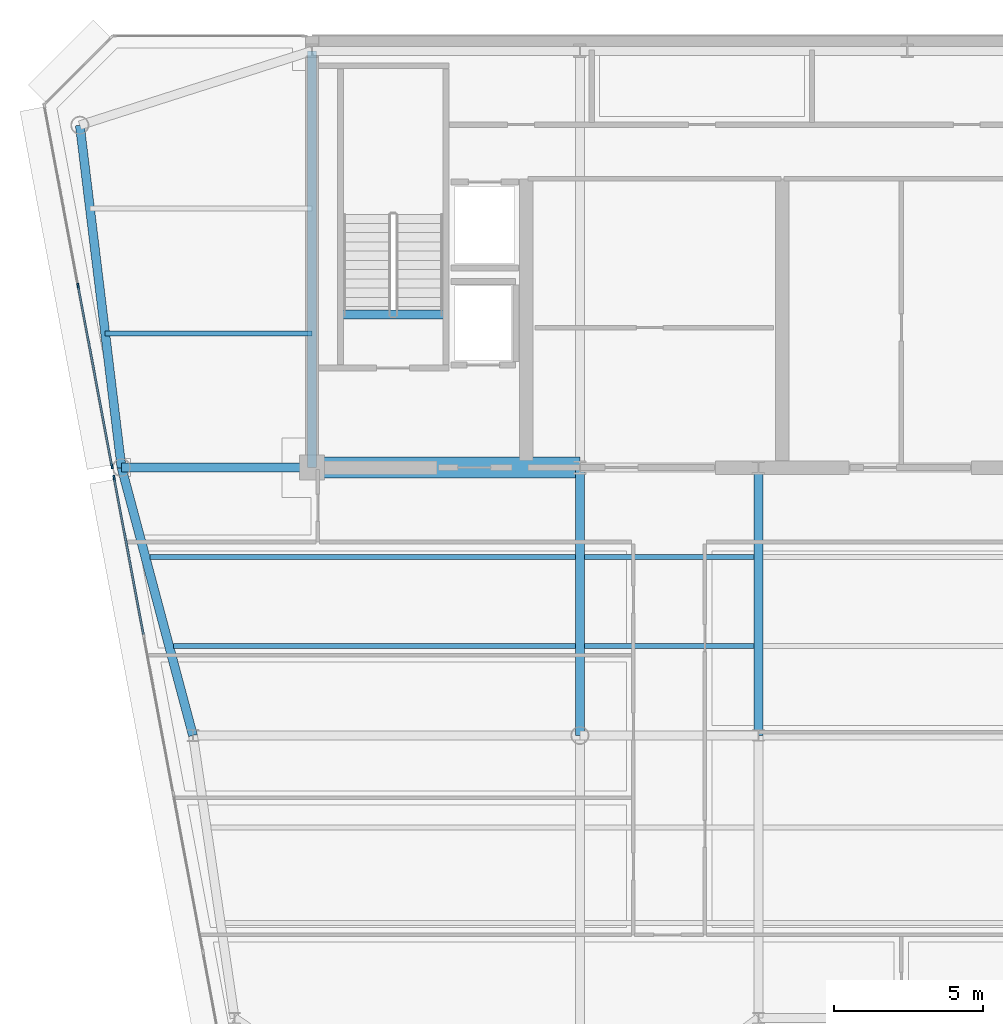
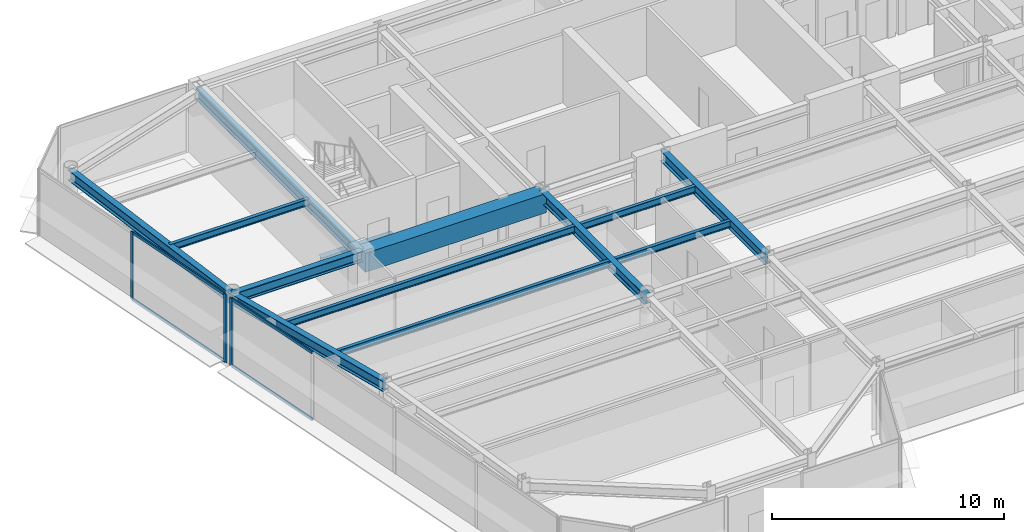
# One storey, part 4 of 20: 13 beams, 7 members, 2 elements without a shape of their own.
"""IFC4 building model written with IfcOpenShell, lengths in metres."""

import ifcopenshell
import ifcopenshell.guid

model = None  # the IFC model being written
_history = None  # IfcOwnerHistory: only IFC2X3 demands one
_inside = {}  # id of a spatial element -> (the spatial element, [elements in it])
_under = {}  # id of a project, library or spatial element -> (it, [spatial elements below it])
_declared = {}  # id of a project -> (the project, [libraries it declares])
_typed = {}  # id of a type object -> (the type object, [elements of that type])
_made_of = {}  # id of a material, layer set ... -> (it, [elements and type objects made of it])


def new_model(schema):
    """Start an empty IFC model of exactly this schema.

    Asked for "IFC4X3", IfcOpenShell would pick the latest addendum, in which some entities
    have other attributes; the version numbers below select the first issue.
    IFC2X3 requires an IfcOwnerHistory on every rooted entity: one is made here for all.
    """
    global model, _history
    if schema == "IFC4X3":
        model = ifcopenshell.file(schema_version=(4, 3, 0, 0))
    else:
        model = ifcopenshell.file(schema=schema)
    _inside.clear()
    _under.clear()
    _declared.clear()
    _typed.clear()
    _made_of.clear()
    _history = None
    if model.schema == "IFC2X3":
        org = make("IfcOrganization", Name="unknown")
        user = make(
            "IfcPersonAndOrganization",
            ThePerson=make("IfcPerson", FamilyName="unknown"),
            TheOrganization=org,
        )
        app = make(
            "IfcApplication",
            ApplicationDeveloper=org,
            Version="unknown",
            ApplicationFullName="unknown",
            ApplicationIdentifier="unknown",
        )
        _history = make(
            "IfcOwnerHistory",
            OwningUser=user,
            OwningApplication=app,
            ChangeAction="ADDED",
            CreationDate=0,
        )
    return model


def make(cls, **values):
    """One entity of the class cls with the attributes given. An attribute that is None is left unset."""
    return model.create_entity(
        cls, **{name: value for name, value in values.items() if value is not None}
    )


def rooted(cls, **values):
    """An entity with a GlobalId (a new one), such as an element, a storey or a relation."""
    return make(cls, GlobalId=ifcopenshell.guid.new(), OwnerHistory=_history, **values)


def si_unit(unit_type, name, prefix=None):
    """IfcSIUnit, for example si_unit("LENGTHUNIT", "METRE", prefix="MILLI")."""
    return make("IfcSIUnit", UnitType=unit_type, Prefix=prefix, Name=name)


def assignment(units):
    """IfcUnitAssignment: the units of a project."""
    return None if units is None else make("IfcUnitAssignment", Units=units)


def point(xyz):
    """IfcCartesianPoint."""
    return None if xyz is None else make("IfcCartesianPoint", Coordinates=xyz)


def direction(xyz):
    """IfcDirection."""
    return None if xyz is None else make("IfcDirection", DirectionRatios=xyz)


def frame(location, z_axis=None, x_axis=None):
    """IfcAxis2Placement3D, a coordinate frame: its origin and axes. An axis left out is left unset."""
    return make(
        "IfcAxis2Placement3D",
        Location=point(location),
        Axis=direction(z_axis),
        RefDirection=direction(x_axis),
    )


def frame_2d(location, x_axis=None):
    """IfcAxis2Placement2D, a coordinate frame in the plane: its origin and x axis."""
    return make(
        "IfcAxis2Placement2D", Location=point(location), RefDirection=direction(x_axis)
    )


def origin():
    """The frame at (0, 0, 0) with its axes left unset."""
    return frame((0.0, 0.0, 0.0))


def origin_2d():
    """The frame at (0, 0) in the plane with its x axis left unset."""
    return frame_2d((0.0, 0.0))


def place(relative_to, where):
    """IfcLocalPlacement: puts the frame where relative to a parent placement (None: the world)."""
    return make(
        "IfcLocalPlacement", PlacementRelTo=relative_to, RelativePlacement=where
    )


def context(
    kind, dimensions, precision=None, world=None, true_north=None, identifier=None
):
    """IfcGeometricRepresentationContext, for example the 3D "Model" context."""
    return make(
        "IfcGeometricRepresentationContext",
        ContextIdentifier=identifier,
        ContextType=kind,
        CoordinateSpaceDimension=dimensions,
        Precision=precision,
        WorldCoordinateSystem=world,
        TrueNorth=true_north,
    )


def subcontext(parent, identifier, kind, view, scale=None):
    """IfcGeometricRepresentationSubContext, for example "Body" below "Model"."""
    return make(
        "IfcGeometricRepresentationSubContext",
        ContextIdentifier=identifier,
        ContextType=kind,
        ParentContext=parent,
        TargetScale=scale,
        TargetView=view,
    )


def project(units=None, contexts=None):
    """IfcProject with its units and contexts."""
    return rooted(
        "IfcProject",
        Name="project",
        RepresentationContexts=contexts,
        UnitsInContext=assignment(units),
    )


def spatial(cls, under=None, at=None, **own):
    """A site, building, storey or space (cls), placed at a placement, below another one or the project."""
    s = rooted(cls, ObjectPlacement=at, **own)
    if under is not None:
        _under.setdefault(under.id(), (under, []))[1].append(s)
    return s


def profile(cls, at=None, kind="AREA", **sizes):
    """A parametric profile (cls). Its sizes go by their IFC names, for example OverallWidth=200.0."""
    return make(cls, ProfileType=kind, Position=at, **sizes)


def rectangle(**sizes):
    """IfcRectangleProfileDef."""
    return profile("IfcRectangleProfileDef", **sizes)


def i_section(**sizes):
    """IfcIShapeProfileDef."""
    return profile("IfcIShapeProfileDef", **sizes)


def extrude(swept, where, along, depth):
    """IfcExtrudedAreaSolid: the profile swept, set in the frame where, extruded along a direction by depth."""
    return make(
        "IfcExtrudedAreaSolid",
        SweptArea=swept,
        Position=where,
        ExtrudedDirection=direction(along),
        Depth=depth,
    )


def shape(context_of_items, identifier, shape_type, items):
    """IfcShapeRepresentation: the items that make up one representation, for example the "Body"."""
    return make(
        "IfcShapeRepresentation",
        ContextOfItems=context_of_items,
        RepresentationIdentifier=identifier,
        RepresentationType=shape_type,
        Items=items,
    )


def source(mapping_origin, context_of_items, identifier, shape_type, items):
    """IfcRepresentationMap: a shape defined once, which mapped items show again and again."""
    return make(
        "IfcRepresentationMap",
        MappingOrigin=mapping_origin,
        MappedRepresentation=shape(context_of_items, identifier, shape_type, items),
    )


def transform(
    local_origin,
    x_axis=None,
    y_axis=None,
    z_axis=None,
    scale=None,
    scale2=None,
    scale3=None,
    uniform=True,
):
    """IfcCartesianTransformationOperator3D, or its non-uniform kind. x_axis, y_axis, z_axis: its Axis1, 2, 3."""
    if uniform:
        return make(
            "IfcCartesianTransformationOperator3D",
            Axis1=direction(x_axis),
            Axis2=direction(y_axis),
            LocalOrigin=point(local_origin),
            Scale=scale,
            Axis3=direction(z_axis),
        )
    return make(
        "IfcCartesianTransformationOperator3DnonUniform",
        Axis1=direction(x_axis),
        Axis2=direction(y_axis),
        LocalOrigin=point(local_origin),
        Scale=scale,
        Axis3=direction(z_axis),
        Scale2=scale2,
        Scale3=scale3,
    )


def mapped(mapping_source, mapping_target):
    """IfcMappedItem: shows the shape of a source again, moved by a transform."""
    return make(
        "IfcMappedItem", MappingSource=mapping_source, MappingTarget=mapping_target
    )


def material(Name=None, Category=None):
    """IfcMaterial."""
    return make("IfcMaterial", Name=Name, Category=Category)


def layer(
    of_material, thickness, ventilated=None, Name=None, Category=None, Priority=None
):
    """IfcMaterialLayer: one layer of a wall or slab, of a material (None: an air gap)."""
    return make(
        "IfcMaterialLayer",
        Material=of_material,
        LayerThickness=thickness,
        IsVentilated=ventilated,
        Name=Name,
        Category=Category,
        Priority=Priority,
    )


def layer_set(layers, Name=None):
    """IfcMaterialLayerSet."""
    return make("IfcMaterialLayerSet", MaterialLayers=layers, LayerSetName=Name)


def material_profile(
    of_material, cross_section, Name=None, Category=None, Priority=None
):
    """IfcMaterialProfile: a cross section and its material."""
    return make(
        "IfcMaterialProfile",
        Name=Name,
        Material=of_material,
        Profile=cross_section,
        Priority=Priority,
        Category=Category,
    )


def profile_set(profiles, Name=None, composite=None):
    """IfcMaterialProfileSet."""
    return make(
        "IfcMaterialProfileSet",
        Name=Name,
        MaterialProfiles=profiles,
        CompositeProfile=composite,
    )


def made_of(thing, what):
    """Note that an element or type object is made of a material, layer set ...; save() writes the relation."""
    if what is not None:
        _made_of.setdefault(what.id(), (what, []))[1].append(thing)
    return thing


def type_object(cls, material=None, **own):
    """A type object (cls), such as IfcWallType, which elements share."""
    return made_of(rooted(cls, **own), material)


def element(
    cls,
    number,
    at=None,
    inside=None,
    cuts=None,
    type_object=None,
    material=None,
    context=None,
    identifier="Body",
    shape_type=None,
    held_by="IfcProductDefinitionShape",
    body=None,
    shapes=None,
    **own,
):
    """One element of the class cls, such as IfcWall. Its Tag is "e" and its number.

    at: its placement. inside: the storey or other place that contains it. cuts: it is an
    opening in that element (IfcRelVoidsElement). A single representation is given by context,
    identifier, shape_type and body (its items); several are given by shapes. held_by: the class
    of the entity that holds the representations. save() writes the other relations.
    """
    e = rooted(cls, Tag="e%d" % number, ObjectPlacement=at, **own)
    if body is not None:
        shapes = [shape(context, identifier, shape_type, body)]
    if shapes is not None:
        e.Representation = make(held_by, Representations=shapes)
    if inside is not None:
        _inside.setdefault(inside.id(), (inside, []))[1].append(e)
    if cuts is not None:
        rooted(
            "IfcRelVoidsElement", RelatingBuildingElement=cuts, RelatedOpeningElement=e
        )
    if type_object is not None:
        _typed.setdefault(type_object.id(), (type_object, []))[1].append(e)
    return made_of(e, material)


def aggregate(whole, parts):
    """IfcRelAggregates: a whole, such as a stair, and the parts it consists of."""
    return rooted("IfcRelAggregates", RelatingObject=whole, RelatedObjects=parts)


def save(model, path):
    """Write the relations noted so far, then the file.

    IfcRelAggregates (storeys below a building ...), IfcRelContainedInSpatialStructure (elements
    in a storey), IfcRelDefinesByType, IfcRelAssociatesMaterial and IfcRelDeclares: one each for
    every whole, place, type object, material and project.
    """
    for whole, parts in _under.values():
        aggregate(whole, parts)
    for where, things in _inside.values():
        rooted(
            "IfcRelContainedInSpatialStructure",
            RelatedElements=things,
            RelatingStructure=where,
        )
    for kind, things in _typed.values():
        rooted("IfcRelDefinesByType", RelatedObjects=things, RelatingType=kind)
    for what, things in _made_of.values():
        rooted("IfcRelAssociatesMaterial", RelatedObjects=things, RelatingMaterial=what)
    for by, libraries in _declared.values():
        rooted("IfcRelDeclares", RelatingContext=by, RelatedDefinitions=libraries)
    model.write(path)


model = new_model("IFC4")

# Units and contexts
model_context = context("Model", 3, precision=1e-05, world=origin(), true_north=direction((0.0, 1.0)))
body_context = subcontext(model_context, "Body", "Model", "MODEL_VIEW")
ifc_project = project(units=[si_unit("LENGTHUNIT", "METRE"), si_unit("AREAUNIT", "SQUARE_METRE"), si_unit("VOLUMEUNIT", "CUBIC_METRE"), si_unit("PLANEANGLEUNIT", "RADIAN"), si_unit("MASSUNIT", "GRAM", prefix="KILO")], contexts=[model_context])

# Site, building, storey
site_placement = place(None, origin())
site = spatial("IfcSite", under=ifc_project, at=site_placement, CompositionType="ELEMENT")
building_placement = place(site_placement, origin())
building = spatial("IfcBuilding", under=site, at=building_placement, Name="Vaeldorn Concourse Tower", CompositionType="ELEMENT")
storey_placement = place(building_placement, frame((0.0, 0.0, 268.800048828125)))
storey = spatial("IfcBuildingStorey", under=building, at=storey_placement, Name="L69", CompositionType="ELEMENT", Elevation=268.800048828125)

# Beams
ifc_material_1 = material(Name="Concrete C50/60", Category="concrete")
ifc_material_profile_1 = material_profile(ifc_material_1, rectangle(XDim=0.699951171875, YDim=1.0, at=origin_2d()), Name="RC 700x1000")
ifc_profile_set_1 = profile_set([ifc_material_profile_1], Name="Concrete C50/60")
beam_type_1 = type_object("IfcBeamType", Name="BM-CB-RC700", PredefinedType="BEAM", material=ifc_profile_set_1)
shared_shape_1 = source(origin(), body_context, "Body", "SweptSolid", [
    extrude(rectangle(XDim=0.699951171875, YDim=1.0, at=origin_2d()), origin(), (0.0, 0.0, 1.0), 9.0),
])
beam_1_placement = place(storey_placement, frame((14.0, 36.5, 3.079833984375), z_axis=(1.0, 0.0, 0.0), x_axis=(0.0, 1.0, 0.0)))
element("IfcBeam", 1, at=beam_1_placement, inside=storey, type_object=beam_type_1, Name="Core Coupling Beam L69-1", PredefinedType="BEAM", context=body_context, shape_type="MappedRepresentation", body=[
    mapped(shared_shape_1, transform((0.0, 0.0, 0.0), scale=1.0)),
])
ifc_material_2 = material(Name="Steel S355", Category="steel")
ifc_material_profile_2 = material_profile(ifc_material_2, i_section(OverallWidth=0.300048828125, OverallDepth=0.340087890625, WebThickness=0.011962890625, FlangeThickness=0.021484375, FilletRadius=0.027099609375, at=origin_2d()), Name="HEB 340")
ifc_profile_set_2 = profile_set([ifc_material_profile_2], Name="Steel S355")
beam_type_2 = type_object("IfcBeamType", Name="BM-ST-TRIM", PredefinedType="BEAM", material=ifc_profile_set_2)
shared_shape_2 = source(origin(), body_context, "Body", "SweptSolid", [
    extrude(i_section(OverallWidth=0.300048828125, OverallDepth=0.340087890625, WebThickness=0.011962890625, FlangeThickness=0.021484375, FilletRadius=0.027099609375, at=origin_2d()), origin(), (0.0, 0.0, 1.0), 3.590087890625),
])
beam_2_placement = place(storey_placement, frame((14.929931640625, 41.639892578125, -0.39013671875), z_axis=(1.0, 0.0, 0.0), x_axis=(0.0, 1.0, 0.0)))
element("IfcBeam", 2, at=beam_2_placement, inside=storey, type_object=beam_type_2, Name="Stair Landing Trimmer Beam ST-1 L69", PredefinedType="BEAM", context=body_context, shape_type="MappedRepresentation", body=[
    mapped(shared_shape_2, transform((0.0, 0.0, 0.0), scale=1.0)),
])
ifc_material_profile_3 = material_profile(ifc_material_2, i_section(OverallWidth=0.300048828125, OverallDepth=0.550048828125, WebThickness=0.014892578125, FlangeThickness=0.029052734375, FilletRadius=0.027099609375, at=origin_2d()), Name="HEB 550")
ifc_profile_set_3 = profile_set([ifc_material_profile_3], Name="Steel S355")
beam_type_3 = type_object("IfcBeamType", Name="BM-PG-HEB550", PredefinedType="BEAM", material=ifc_profile_set_3)
shared_shape_3 = source(origin(), body_context, "Body", "SweptSolid", [
    extrude(i_section(OverallWidth=0.300048828125, OverallDepth=0.550048828125, WebThickness=0.014892578125, FlangeThickness=0.029052734375, FilletRadius=0.027099609375, at=origin_2d()), origin(), (0.0, 0.0, 1.0), 9.0),
])
for number, where, z_axis, x_axis, name in (
    (3, (23.0, 27.5, 3.304931640625), (0.0, 1.0, 0.0), (-1.0, 0.0, 0.0), "Beam BM-L69-C-TW1-C-FC2"),
    (4, (29.0, 27.5, 3.304931640625), (0.0, 1.0, 0.0), (-1.0, 0.0, 0.0), "Beam BM-L69-C-TW2-C-FC3"),
):
    element("IfcBeam", number, at=place(storey_placement, frame(where, z_axis=z_axis, x_axis=x_axis)), inside=storey, type_object=beam_type_3, Name=name, PredefinedType="BEAM", context=body_context, shape_type="MappedRepresentation", body=[
        mapped(shared_shape_3, transform((0.0, 0.0, 0.0), scale=1.0)),
    ])
shared_shape_4 = source(origin(), body_context, "Body", "SweptSolid", [
    extrude(i_section(OverallWidth=0.300048828125, OverallDepth=0.550048828125, WebThickness=0.014892578125, FlangeThickness=0.029052734375, FilletRadius=0.027099609375, at=origin_2d()), origin(), (0.0, 0.0, 1.0), 14.0),
])
beam_3_placement = place(storey_placement, frame((14.0, 36.5, 3.304931640625), z_axis=(0.0, 1.0, 0.0), x_axis=(-1.0, 0.0, 0.0)))
element("IfcBeam", 5, at=beam_3_placement, inside=storey, type_object=beam_type_3, Name="Beam BM-L69-C-FC1-C-HC1", PredefinedType="BEAM", context=body_context, shape_type="MappedRepresentation", body=[
    mapped(shared_shape_4, transform((0.0, 0.0, 0.0), scale=1.0)),
])
shared_shape_5 = source(origin(), body_context, "Body", "SweptSolid", [
    extrude(i_section(OverallWidth=0.300048828125, OverallDepth=0.550048828125, WebThickness=0.014892578125, FlangeThickness=0.029052734375, FilletRadius=0.027099609375, at=origin_2d()), origin(), (0.0, 0.0, 1.0), 11.5849609375),
])
beam_4_placement = place(storey_placement, frame((6.199951171875, 48.0, 3.304931640625), z_axis=(0.120859382899, -0.992669637677, 0.0), x_axis=(0.992669637677, 0.120859382899, 0.0)))
element("IfcBeam", 6, at=beam_4_placement, inside=storey, type_object=beam_type_3, Name="Beam BM-L69-C-NW1-C-NW2", PredefinedType="BEAM", context=body_context, shape_type="MappedRepresentation", body=[
    mapped(shared_shape_5, transform((0.0, 0.0, 0.0), scale=1.0)),
])
shared_shape_6 = source(origin(), body_context, "Body", "SweptSolid", [
    extrude(i_section(OverallWidth=0.300048828125, OverallDepth=0.550048828125, WebThickness=0.014892578125, FlangeThickness=0.029052734375, FilletRadius=0.027099609375, at=origin_2d()), origin(), (0.0, 0.0, 1.0), 6.39990234375),
])
beam_5_placement = place(storey_placement, frame((7.60009765625, 36.5, 3.304931640625), z_axis=(1.0, 0.0, 0.0), x_axis=(0.0, 1.0, 0.0)))
element("IfcBeam", 7, at=beam_5_placement, inside=storey, type_object=beam_type_3, Name="Beam BM-L69-C-NW2-C-FC1", PredefinedType="BEAM", context=body_context, shape_type="MappedRepresentation", body=[
    mapped(shared_shape_6, transform((0.0, 0.0, 0.0), scale=1.0)),
])
shared_shape_7 = source(origin(), body_context, "Body", "SweptSolid", [
    extrude(i_section(OverallWidth=0.300048828125, OverallDepth=0.550048828125, WebThickness=0.014892578125, FlangeThickness=0.029052734375, FilletRadius=0.027099609375, at=origin_2d()), origin(), (0.0, 0.0, 1.0), 9.314453125),
])
beam_6_placement = place(storey_placement, frame((7.60009765625, 36.5, 3.304931640625), z_axis=(0.257652862255, -0.966237549763, 0.0), x_axis=(0.966237549763, 0.257652862255, 0.0)))
element("IfcBeam", 8, at=beam_6_placement, inside=storey, type_object=beam_type_3, Name="Beam BM-L69-C-NW2-C-FLW1", PredefinedType="BEAM", context=body_context, shape_type="MappedRepresentation", body=[
    mapped(shared_shape_7, transform((0.0, 0.0, 0.0), scale=1.0)),
])
ifc_material_profile_4 = material_profile(ifc_material_2, i_section(OverallWidth=0.169921875, OverallDepth=0.360107421875, WebThickness=0.008056640625, FlangeThickness=0.0126953125, FilletRadius=0.01806640625, at=origin_2d()), Name="IPE 360")
ifc_profile_set_4 = profile_set([ifc_material_profile_4], Name="Steel S355")
beam_type_4 = type_object("IfcBeamType", Name="BM-JS-IPE360", PredefinedType="JOIST", material=ifc_profile_set_4)
shared_shape_8 = source(origin(), body_context, "Body", "SweptSolid", [
    extrude(i_section(OverallWidth=0.169921875, OverallDepth=0.360107421875, WebThickness=0.008056640625, FlangeThickness=0.0126953125, FilletRadius=0.01806640625, at=origin_2d()), origin(), (0.0, 0.0, 1.0), 6.94775390625),
])
beam_7_placement = place(storey_placement, frame((7.05224609375, 41.0, 3.39990234375), z_axis=(1.0, 0.0, 0.0), x_axis=(0.0, 1.0, 0.0)))
element("IfcBeam", 9, at=beam_7_placement, inside=storey, type_object=beam_type_4, Name="Beam JS-L69-NW-410", PredefinedType="JOIST", context=body_context, shape_type="MappedRepresentation", body=[
    mapped(shared_shape_8, transform((0.0, 0.0, 0.0), scale=1.0)),
])
shared_shape_9 = source(origin(), body_context, "Body", "SweptSolid", [
    extrude(i_section(OverallWidth=0.169921875, OverallDepth=0.360107421875, WebThickness=0.008056640625, FlangeThickness=0.0126953125, FilletRadius=0.01806640625, at=origin_2d()), origin(), (0.0, 0.0, 1.0), 5.7001953125),
])
for number, where, z_axis, x_axis, name in (
    (10, (23.14990234375, 30.5, 3.39990234375), (1.0, 0.0, 0.0), (0.0, 1.0, 0.0), "Beam JS-L69-W2-305"),
    (11, (23.14990234375, 33.5, 3.39990234375), (1.0, 0.0, 0.0), (0.0, 1.0, 0.0), "Beam JS-L69-W2-335"),
):
    element("IfcBeam", number, at=place(storey_placement, frame(where, z_axis=z_axis, x_axis=x_axis)), inside=storey, type_object=beam_type_4, Name=name, PredefinedType="JOIST", context=body_context, shape_type="MappedRepresentation", body=[
        mapped(shared_shape_9, transform((0.0, 0.0, 0.0), scale=1.0)),
    ])
shared_shape_10 = source(origin(), body_context, "Body", "SweptSolid", [
    extrude(i_section(OverallWidth=0.169921875, OverallDepth=0.360107421875, WebThickness=0.008056640625, FlangeThickness=0.0126953125, FilletRadius=0.01806640625, at=origin_2d()), origin(), (0.0, 0.0, 1.0), 13.5),
])
beam_8_placement = place(storey_placement, frame((9.35009765625, 30.5, 3.39990234375), z_axis=(1.0, 0.0, 0.0), x_axis=(0.0, 1.0, 0.0)))
element("IfcBeam", 12, at=beam_8_placement, inside=storey, type_object=beam_type_4, Name="Beam JS-L69-W1-305", PredefinedType="JOIST", context=body_context, shape_type="MappedRepresentation", body=[
    mapped(shared_shape_10, transform((0.0, 0.0, 0.0), scale=1.0)),
])
shared_shape_11 = source(origin(), body_context, "Body", "SweptSolid", [
    extrude(i_section(OverallWidth=0.169921875, OverallDepth=0.360107421875, WebThickness=0.008056640625, FlangeThickness=0.0126953125, FilletRadius=0.01806640625, at=origin_2d()), origin(), (0.0, 0.0, 1.0), 14.300048828125),
])
beam_9_placement = place(storey_placement, frame((8.550048828125, 33.5, 3.39990234375), z_axis=(1.0, 0.0, 0.0), x_axis=(0.0, 1.0, 0.0)))
element("IfcBeam", 13, at=beam_9_placement, inside=storey, type_object=beam_type_4, Name="Beam JS-L69-W1-335", PredefinedType="JOIST", context=body_context, shape_type="MappedRepresentation", body=[
    mapped(shared_shape_11, transform((0.0, 0.0, 0.0), scale=1.0)),
])

# Curtain wall, members
ifc_material_3 = material(Name="Anodised Bronze Aluminium", Category="aluminium")
ifc_layer = layer(ifc_material_3, 0.2099609375)
ifc_layer_set = layer_set([ifc_layer], Name="Anodised Bronze Aluminium")
curtain_wall_type = type_object("IfcCurtainWallType", Name="CW-SYS-06", PredefinedType="NOTDEFINED", material=ifc_layer_set)
curtain_wall_1_placement = place(storey_placement, origin())
curtain_wall_1 = element("IfcCurtainWall", 14, at=curtain_wall_1_placement, inside=storey, type_object=curtain_wall_type, Name="Unitised Curtain Wall CW-L69-E11-1", PredefinedType="NOTDEFINED")
ifc_material_profile_5 = material_profile(ifc_material_3, rectangle(XDim=0.06494140625, YDim=0.169921875, at=origin_2d()), Name="CWM 65x170")
ifc_profile_set_5 = profile_set([ifc_material_profile_5], Name="Anodised Bronze Aluminium")
member_type_1 = type_object("IfcMemberType", Name="CWM-BRONZE-170", PredefinedType="MULLION", material=ifc_profile_set_5)
shared_shape_12 = source(origin(), body_context, "Body", "SweptSolid", [
    extrude(rectangle(XDim=0.06494140625, YDim=0.169921875, at=origin_2d()), origin(), (0.0, 0.0, 1.0), 3.579833984375),
])
member_1_placement = place(storey_placement, frame((6.142578125, 42.605224609375, 0.0), z_axis=(0.0, 0.0, 1.0), x_axis=(0.982880218842, 0.184245693053, 0.0)))
member_1 = element("IfcMember", 15, at=member_1_placement, type_object=member_type_1, Name="CW-06 mullion 2", PredefinedType="MULLION", context=body_context, shape_type="MappedRepresentation", body=[
    mapped(shared_shape_12, transform((0.0, 0.0, 0.0), scale=1.0)),
])
member_2_placement = place(storey_placement, frame((7.279052734375, 36.542236328125, 0.0), z_axis=(0.0, 0.0, 1.0), x_axis=(0.982880218842, 0.184245693053, 0.0)))
member_2 = element("IfcMember", 16, at=member_2_placement, type_object=member_type_1, Name="CW-06 mullion 3", PredefinedType="MULLION", context=body_context, shape_type="MappedRepresentation", body=[
    mapped(shared_shape_12, transform((0.0, 0.0, 0.0), scale=1.0)),
])

curtain_wall_2_placement = place(storey_placement, origin())
curtain_wall_2 = element("IfcCurtainWall", 17, at=curtain_wall_2_placement, inside=storey, type_object=curtain_wall_type, Name="Unitised Curtain Wall CW-L69-E11-2", PredefinedType="NOTDEFINED")
member_3_placement = place(storey_placement, frame((7.35205078125, 36.153076171875, 0.0), z_axis=(0.0, 0.0, 1.0), x_axis=(0.982880027444, 0.184246714088, 0.0)))
member_3 = element("IfcMember", 18, at=member_3_placement, type_object=member_type_1, Name="CW-06 mullion 1", PredefinedType="MULLION", context=body_context, shape_type="MappedRepresentation", body=[
    mapped(shared_shape_12, transform((0.0, 0.0, 0.0), scale=1.0)),
])
ifc_material_profile_6 = material_profile(ifc_material_3, rectangle(XDim=0.06494140625, YDim=0.14990234375, at=origin_2d()), Name="CWT 65x150")
ifc_profile_set_6 = profile_set([ifc_material_profile_6], Name="Anodised Bronze Aluminium")
member_type_2 = type_object("IfcMemberType", Name="CWT-BRONZE-150", PredefinedType="USERDEFINED", material=ifc_profile_set_6)
shared_shape_13 = source(origin(), body_context, "Body", "SweptSolid", [
    extrude(rectangle(XDim=0.06494140625, YDim=0.14990234375, at=origin_2d()), origin(), (0.0, 0.0, 1.0), 5.31640625),
])
member_4_placement = place(storey_placement, frame((7.35791015625, 36.12109375, 0.032470703125), z_axis=(0.184241399207, -0.982881023735, 0.0), x_axis=(0.982881023735, 0.184241399207, 0.0)))
member_4 = element("IfcMember", 19, at=member_4_placement, type_object=member_type_2, Name="CW-06 transom 1.1", ObjectType="TRANSOM", PredefinedType="USERDEFINED", context=body_context, shape_type="MappedRepresentation", body=[
    mapped(shared_shape_13, transform((0.0, 0.0, 0.0), scale=1.0)),
])
member_5_placement = place(storey_placement, frame((7.35791015625, 36.12109375, 3.54736328125), z_axis=(0.184241399207, -0.982881023735, 0.0), x_axis=(0.982881023735, 0.184241399207, 0.0)))
member_5 = element("IfcMember", 20, at=member_5_placement, type_object=member_type_2, Name="CW-06 transom 1.2", ObjectType="TRANSOM", PredefinedType="USERDEFINED", context=body_context, shape_type="MappedRepresentation", body=[
    mapped(shared_shape_13, transform((0.0, 0.0, 0.0), scale=1.0)),
])
aggregate(curtain_wall_2, [member_3, member_4, member_5])

# Member
shared_shape_14 = source(origin(), body_context, "Body", "SweptSolid", [
    extrude(rectangle(XDim=0.06494140625, YDim=0.14990234375, at=origin_2d()), origin(), (0.0, 0.0, 1.0), 6.103515625),
])
member_6_placement = place(storey_placement, frame((6.1484375, 42.5732421875, 0.032470703125), z_axis=(0.18424023288, -0.982881242363, 0.0), x_axis=(0.982881242363, 0.18424023288, 0.0)))
member_6 = element("IfcMember", 21, at=member_6_placement, type_object=member_type_2, Name="CW-06 transom 2.1", ObjectType="TRANSOM", PredefinedType="USERDEFINED", context=body_context, shape_type="MappedRepresentation", body=[
    mapped(shared_shape_14, transform((0.0, 0.0, 0.0), scale=1.0)),
])

member_7_placement = place(storey_placement, frame((6.1484375, 42.5732421875, 3.54736328125), z_axis=(0.18424023288, -0.982881242363, 0.0), x_axis=(0.982881242363, 0.18424023288, 0.0)))
member_7 = element("IfcMember", 22, at=member_7_placement, type_object=member_type_2, Name="CW-06 transom 2.2", ObjectType="TRANSOM", PredefinedType="USERDEFINED", context=body_context, shape_type="MappedRepresentation", body=[
    mapped(shared_shape_14, transform((0.0, 0.0, 0.0), scale=1.0)),
])

aggregate(curtain_wall_1, [member_1, member_2, member_6, member_7])

save(model, "model.ifc")
